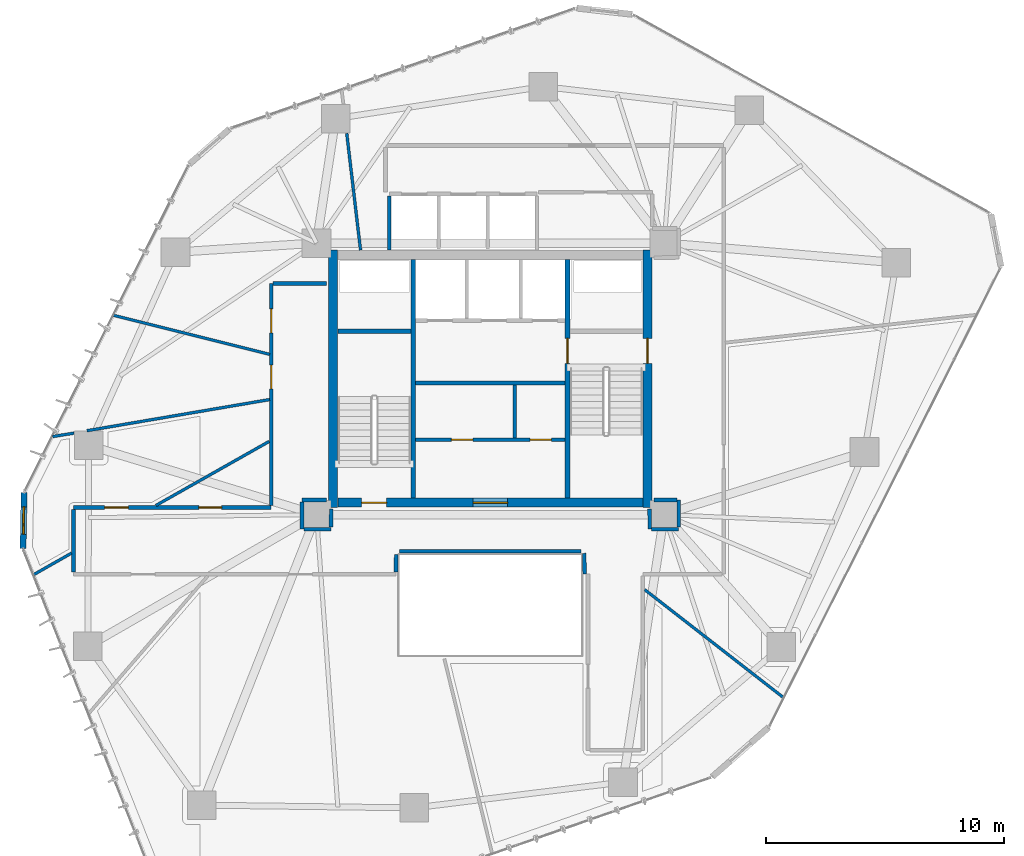
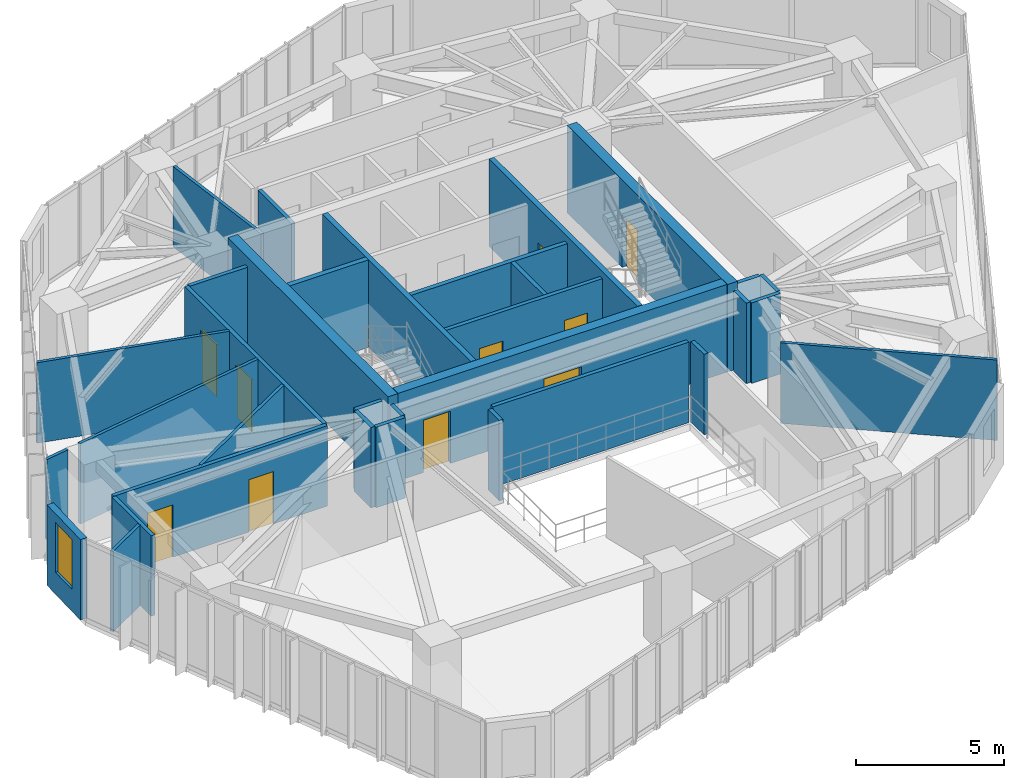
# One storey, part 16 of 21: 33 walls, 10 doors, 1 window, 11 openings.
"""IFC4 building model written with IfcOpenShell, lengths in metres."""

from ifc_helpers import new_model, si_unit, direction, frame, frame_2d, origin, place, context, subcontext, project, spatial, rectangle, extrude, source, transform, mapped, material, layer, layer_set, type_object, type_shapes, element, fill, save


model = new_model("IFC4")

# Units and contexts
model_context = context("Model", 3, precision=1e-05, world=origin(), true_north=direction((0.0, 1.0)))
body_context = subcontext(model_context, "Body", "Model", "MODEL_VIEW")
ifc_project = project(units=[si_unit("LENGTHUNIT", "METRE"), si_unit("AREAUNIT", "SQUARE_METRE"), si_unit("VOLUMEUNIT", "CUBIC_METRE"), si_unit("PLANEANGLEUNIT", "RADIAN"), si_unit("MASSUNIT", "GRAM", prefix="KILO")], contexts=[model_context])

# Site, building, storey
site_placement = place(None, origin())
site = spatial("IfcSite", under=ifc_project, at=site_placement, CompositionType="ELEMENT")
building_placement = place(site_placement, origin())
building = spatial("IfcBuilding", under=site, at=building_placement, Name="Talar Marvaseh", CompositionType="ELEMENT")
storey_placement = place(building_placement, frame((0.0, 0.0, 147.0)))
storey = spatial("IfcBuildingStorey", under=building, at=storey_placement, Name="L38", CompositionType="ELEMENT", Elevation=147.0)

# Wall, opening, window
ifc_material_1 = material(Name="Precast concrete C45/55", Category="concrete")
ifc_layer_1 = layer(ifc_material_1, 0.2548828125)
ifc_layer_set_1 = layer_set([ifc_layer_1], Name="Precast concrete C45/55")
wall_type_1 = type_object("IfcWallType", Name="Chamfered Hexagonal Corner Pier Wall Z2 255", PredefinedType="SOLIDWALL", material=ifc_layer_set_1)
wall_1_placement = place(storey_placement, frame((6.37841796875, 24.080078125, 0.0), z_axis=(0.0, 0.0, 1.0), x_axis=(0.019608163509, 0.99980774148, 0.0)))
wall_1 = element("IfcWall", 1, at=wall_1_placement, inside=storey, type_object=wall_type_1, Name="L38 Chamfered Corner Limestone Pier 2", PredefinedType="SOLIDWALL", context=body_context, shape_type="SweptSolid", body=[
    extrude(rectangle(XDim=2.3408203125, YDim=0.2548828125, at=frame_2d((1.17041015625, 0.0))), origin(), (0.0, 0.0, 1.0), 3.31005859375),
])
opening_1_placement = place(wall_1_placement, frame((0.594970703125, 0.0, 0.89990234375)))
opening_1 = element("IfcOpeningElement", 2, at=opening_1_placement, cuts=wall_1, Name="Opening WN-CHM11", PredefinedType="OPENING", context=body_context, shape_type="SweptSolid", body=[
    extrude(rectangle(XDim=1.14990234375, YDim=2.050048828125, at=frame_2d((0.574951171875, 1.02490234375))), frame((0.0, 0.137451171875, 0.0), z_axis=(0.0, -1.0, 0.0), x_axis=(1.0, 0.0, 0.0)), (0.0, 0.0, 1.0), 0.27490234375),
])
ifc_material_2 = material(Name="Laminated Low-E Solar Glass", Category="glass")
window_type = type_object("IfcWindowType", Name="Zone 2 Chamfered Corner Slot Window 1150x2050", PartitioningType="SINGLE_PANEL", PredefinedType="WINDOW", material=ifc_material_2)
shared_shape_1 = source(origin(), body_context, "Body", "SweptSolid", [
    extrude(rectangle(XDim=1.14990234375, YDim=2.050048828125, at=frame_2d((0.574951171875, 1.02490234375))), frame((0.0, 0.030029296875, 0.0), z_axis=(0.0, -1.0, 0.0), x_axis=(1.0, 0.0, 0.0)), (0.0, 0.0, 1.0), 0.06005859375),
])
type_shapes(window_type, [shared_shape_1])
window_placement = place(opening_1_placement, origin())
window = element("IfcWindow", 3, at=window_placement, inside=storey, type_object=window_type, Name="L38 Chamfered Corner Slot Window", OverallHeight=2.050048828125, OverallWidth=1.14990234375, PartitioningType="SINGLE_PANEL", PredefinedType="WINDOW", context=body_context, shape_type="MappedRepresentation", body=[
    mapped(shared_shape_1, transform((0.0, 0.0, 0.0), x_axis=(1.0, 0.0, 0.0), y_axis=(0.0, 1.0, 0.0), z_axis=(0.0, 0.0, 1.0), scale=1.0)),
])
fill(opening_1, window)

# Wall, openings, doors
ifc_material_3 = material(Name="Gypsum Board Partition Assembly")
ifc_layer_2 = layer(ifc_material_3, 0.155029296875)
ifc_layer_set_2 = layer_set([ifc_layer_2], Name="Gypsum Board Partition Assembly")
wall_type_2 = type_object("IfcWallType", Name="Corridor Fire-Rated Acoustic Partition 155", PredefinedType="PARTITIONING", material=ifc_layer_set_2)
wall_2_placement = place(storey_placement, frame((22.865966796875, 28.639892578125, 0.0), z_axis=(0.0, 0.0, 1.0), x_axis=(1.0, 0.0, 0.0)))
wall_2 = element("IfcWall", 4, at=wall_2_placement, inside=storey, type_object=wall_type_2, Name="L38 Core BOH Partition", PredefinedType="PARTITIONING", context=body_context, shape_type="SweptSolid", body=[
    extrude(rectangle(XDim=6.26806640625, YDim=0.155029296875, at=frame_2d((3.134033203125, 0.0))), origin(), (0.0, 0.0, 1.0), 3.31005859375),
])
opening_2_placement = place(wall_2_placement, frame((1.5, 0.0, 0.0)))
opening_2 = element("IfcOpeningElement", 5, at=opening_2_placement, cuts=wall_2, Name="Opening DR-BOH090", PredefinedType="OPENING", context=body_context, shape_type="SweptSolid", body=[
    extrude(rectangle(XDim=0.89990234375, YDim=2.10009765625, at=frame_2d((0.449951171875, 1.050048828125))), frame((0.0, 0.08740234375, 0.0), z_axis=(0.0, -1.0, 0.0), x_axis=(1.0, 0.0, 0.0)), (0.0, 0.0, 1.0), 0.175048828125),
])
opening_3_placement = place(wall_2_placement, frame((4.800048828125, 0.0, 0.0)))
opening_3 = element("IfcOpeningElement", 6, at=opening_3_placement, cuts=wall_2, Name="Opening DR-BOH090", PredefinedType="OPENING", context=body_context, shape_type="SweptSolid", body=[
    extrude(rectangle(XDim=0.89990234375, YDim=2.10009765625, at=frame_2d((0.449951171875, 1.050048828125))), frame((0.0, 0.08740234375, 0.0), z_axis=(0.0, -1.0, 0.0), x_axis=(1.0, 0.0, 0.0)), (0.0, 0.0, 1.0), 0.175048828125),
])
ifc_material_4 = material(Name="Fire-Rated Steel Door Leaf", Category="steel")
door_type_1 = type_object("IfcDoorType", Name="Core Back-of-House Service Door 900x2100", OperationType="NOTDEFINED", PredefinedType="DOOR", material=ifc_material_4)
shared_shape_2 = source(origin(), body_context, "Body", "SweptSolid", [
    extrude(rectangle(XDim=0.89990234375, YDim=2.10009765625, at=frame_2d((0.449951171875, 1.050048828125))), frame((0.0, 0.02490234375, 0.0), z_axis=(0.0, -1.0, 0.0), x_axis=(1.0, 0.0, 0.0)), (0.0, 0.0, 1.0), 0.050048828125),
])
type_shapes(door_type_1, [shared_shape_2])
door_1_placement = place(opening_2_placement, origin())
door_1 = element("IfcDoor", 7, at=door_1_placement, inside=storey, type_object=door_type_1, Name="L38 Plant Core Comms Switch Room Door", OperationType="SINGLE_SWING_LEFT", OverallHeight=2.10009765625, OverallWidth=0.89990234375, PredefinedType="DOOR", context=body_context, shape_type="MappedRepresentation", body=[
    mapped(shared_shape_2, transform((0.0, 0.0, 0.0), x_axis=(1.0, 0.0, 0.0), y_axis=(0.0, 1.0, 0.0), z_axis=(0.0, 0.0, 1.0), scale=1.0)),
])
fill(opening_2, door_1)
door_2_placement = place(opening_3_placement, origin())
door_2 = element("IfcDoor", 8, at=door_2_placement, inside=storey, type_object=door_type_1, Name="L38 Cleaner Cupboard Door", OperationType="SINGLE_SWING_RIGHT", OverallHeight=2.10009765625, OverallWidth=0.89990234375, PredefinedType="DOOR", context=body_context, shape_type="MappedRepresentation", body=[
    mapped(shared_shape_2, transform((0.0, 0.0, 0.0), x_axis=(1.0, 0.0, 0.0), y_axis=(0.0, 1.0, 0.0), z_axis=(0.0, 0.0, 1.0), scale=1.0)),
])
fill(opening_3, door_2)

# Wall
wall_3_placement = place(storey_placement, frame((27.02001953125, 28.719970703125, 0.0), z_axis=(0.0, 0.0, 1.0), x_axis=(0.0, 1.0, 0.0)))
element("IfcWall", 9, at=wall_3_placement, inside=storey, type_object=wall_type_2, Name="L38 Core BOH Partition", PredefinedType="PARTITIONING", context=body_context, shape_type="SweptSolid", body=[
    extrude(rectangle(XDim=2.219970703125, YDim=0.155029296875, at=frame_2d((1.10986328125, 0.0))), origin(), (0.0, 0.0, 1.0), 3.31005859375),
])

# Wall, openings, doors
wall_4_placement = place(storey_placement, frame((8.5, 25.800048828125, 0.0), z_axis=(0.0, 0.0, 1.0), x_axis=(1.0, 0.0, 0.0)))
wall_4 = element("IfcWall", 10, at=wall_4_placement, inside=storey, type_object=wall_type_2, Name="L38 Interior Partition Wall", PredefinedType="PARTITIONING", context=body_context, shape_type="SweptSolid", body=[
    extrude(rectangle(XDim=8.300048828125, YDim=0.155029296875, at=frame_2d((4.14990234375, 0.0))), origin(), (0.0, 0.0, 1.0), 3.31005859375),
])
opening_4_placement = place(wall_4_placement, frame((1.2998046875, 0.0, 0.0)))
opening_4 = element("IfcOpeningElement", 11, at=opening_4_placement, cuts=wall_4, Name="Opening DR-RM100", PredefinedType="OPENING", context=body_context, shape_type="SweptSolid", body=[
    extrude(rectangle(XDim=1.0, YDim=2.14990234375, at=frame_2d((0.5, 1.074951171875))), frame((0.0, 0.08740234375, 0.0), z_axis=(0.0, -1.0, 0.0), x_axis=(1.0, 0.0, 0.0)), (0.0, 0.0, 1.0), 0.175048828125),
])
opening_5_placement = place(wall_4_placement, frame((5.262451171875, 0.0, 0.0)))
opening_5 = element("IfcOpeningElement", 12, at=opening_5_placement, cuts=wall_4, Name="Opening DR-WC095", PredefinedType="OPENING", context=body_context, shape_type="SweptSolid", body=[
    extrude(rectangle(XDim=0.949951171875, YDim=2.14990234375, at=frame_2d((0.47509765625, 1.074951171875))), frame((0.0, 0.08740234375, 0.0), z_axis=(0.0, -1.0, 0.0), x_axis=(1.0, 0.0, 0.0)), (0.0, 0.0, 1.0), 0.175048828125),
])
ifc_material_5 = material(Name="Acoustic Engineered Oak Timber", Category="wood")
door_type_2 = type_object("IfcDoorType", Name="Washroom and Service Room Door 950x2150", OperationType="NOTDEFINED", PredefinedType="DOOR", material=ifc_material_5)
shared_shape_3 = source(origin(), body_context, "Body", "SweptSolid", [
    extrude(rectangle(XDim=0.949951171875, YDim=2.14990234375, at=frame_2d((0.47509765625, 1.074951171875))), frame((0.0, 0.02490234375, 0.0), z_axis=(0.0, -1.0, 0.0), x_axis=(1.0, 0.0, 0.0)), (0.0, 0.0, 1.0), 0.050048828125),
])
type_shapes(door_type_2, [shared_shape_3])
door_3_placement = place(opening_5_placement, origin())
door_3 = element("IfcDoor", 13, at=door_3_placement, inside=storey, type_object=door_type_2, Name="L38 WC Public Washrooms Door", OperationType="SINGLE_SWING_RIGHT", OverallHeight=2.14990234375, OverallWidth=0.949951171875, PredefinedType="DOOR", context=body_context, shape_type="MappedRepresentation", body=[
    mapped(shared_shape_3, transform((0.0, 0.0, 0.0), x_axis=(1.0, 0.0, 0.0), y_axis=(0.0, 1.0, 0.0), z_axis=(0.0, 0.0, 1.0), scale=1.0)),
])
fill(opening_5, door_3)
door_type_3 = type_object("IfcDoorType", Name="Corridor Fire-Rated Gallery Door 1000x2150", OperationType="NOTDEFINED", PredefinedType="DOOR", material=ifc_material_5)
shared_shape_4 = source(origin(), body_context, "Body", "SweptSolid", [
    extrude(rectangle(XDim=1.0, YDim=2.14990234375, at=frame_2d((0.5, 1.074951171875))), frame((0.0, 0.02490234375, 0.0), z_axis=(0.0, -1.0, 0.0), x_axis=(1.0, 0.0, 0.0)), (0.0, 0.0, 1.0), 0.050048828125),
])
type_shapes(door_type_3, [shared_shape_4])
door_4_placement = place(opening_4_placement, origin())
door_4 = element("IfcDoor", 14, at=door_4_placement, inside=storey, type_object=door_type_3, Name="L38 Curatorial Office Door", OperationType="SINGLE_SWING_LEFT", OverallHeight=2.14990234375, OverallWidth=1.0, PredefinedType="DOOR", context=body_context, shape_type="MappedRepresentation", body=[
    mapped(shared_shape_4, transform((0.0, 0.0, 0.0), x_axis=(1.0, 0.0, 0.0), y_axis=(0.0, 1.0, 0.0), z_axis=(0.0, 0.0, 1.0), scale=1.0)),
])
fill(opening_4, door_4)

wall_5_placement = place(storey_placement, frame((16.800048828125, 25.883544921875, 0.0), z_axis=(0.0, 0.0, 1.0), x_axis=(0.0, 1.0, 0.0)))
wall_5 = element("IfcWall", 15, at=wall_5_placement, inside=storey, type_object=wall_type_2, Name="L38 Interior Partition Wall", PredefinedType="PARTITIONING", context=body_context, shape_type="SweptSolid", body=[
    extrude(rectangle(XDim=9.31640625, YDim=0.155029296875, at=frame_2d((4.658203125, 0.0))), origin(), (0.0, 0.0, 1.0), 3.31005859375),
])
opening_6_placement = place(wall_5_placement, frame((7.24951171875, 0.0, 0.0)))
opening_6 = element("IfcOpeningElement", 16, at=opening_6_placement, cuts=wall_5, Name="Opening DR-RM100", PredefinedType="OPENING", context=body_context, shape_type="SweptSolid", body=[
    extrude(rectangle(XDim=1.0, YDim=2.14990234375, at=frame_2d((0.5, 1.074951171875))), frame((0.0, 0.08740234375, 0.0), z_axis=(0.0, -1.0, 0.0), x_axis=(1.0, 0.0, 0.0)), (0.0, 0.0, 1.0), 0.175048828125),
])
opening_7_placement = place(wall_5_placement, frame((4.893310546875, 0.0, 0.0)))
opening_7 = element("IfcOpeningElement", 17, at=opening_7_placement, cuts=wall_5, Name="Opening DR-RM100", PredefinedType="OPENING", context=body_context, shape_type="SweptSolid", body=[
    extrude(rectangle(XDim=1.0, YDim=2.14990234375, at=frame_2d((0.5, 1.074951171875))), frame((0.0, 0.08740234375, 0.0), z_axis=(0.0, -1.0, 0.0), x_axis=(1.0, 0.0, 0.0)), (0.0, 0.0, 1.0), 0.175048828125),
])
door_5_placement = place(opening_6_placement, origin())
door_5 = element("IfcDoor", 18, at=door_5_placement, inside=storey, type_object=door_type_3, Name="L38 Digital Paleography Studio Door", OperationType="SINGLE_SWING_LEFT", OverallHeight=2.14990234375, OverallWidth=1.0, PredefinedType="DOOR", context=body_context, shape_type="MappedRepresentation", body=[
    mapped(shared_shape_4, transform((0.0, 0.0, 0.0), x_axis=(1.0, 0.0, 0.0), y_axis=(0.0, 1.0, 0.0), z_axis=(0.0, 0.0, 1.0), scale=1.0)),
])
fill(opening_6, door_5)
door_6_placement = place(opening_7_placement, origin())
door_6 = element("IfcDoor", 19, at=door_6_placement, inside=storey, type_object=door_type_3, Name="L38 Quiet Research Study Door", OperationType="SINGLE_SWING_RIGHT", OverallHeight=2.14990234375, OverallWidth=1.0, PredefinedType="DOOR", context=body_context, shape_type="MappedRepresentation", body=[
    mapped(shared_shape_4, transform((0.0, 0.0, 0.0), x_axis=(1.0, 0.0, 0.0), y_axis=(0.0, 1.0, 0.0), z_axis=(0.0, 0.0, 1.0), scale=1.0)),
])
fill(opening_7, door_6)

# Walls
wall_6_placement = place(storey_placement, frame((29.800048828125, 23.9599609375, 0.0), z_axis=(0.0, 0.0, 1.0), x_axis=(-0.999999995375, -9.617234e-05, 0.0)))
element("IfcWall", 20, at=wall_6_placement, inside=storey, type_object=wall_type_2, Name="L38 Interior Partition Wall", PredefinedType="PARTITIONING", context=body_context, shape_type="SweptSolid", body=[
    extrude(rectangle(XDim=7.61572265625, YDim=0.155029296875, at=frame_2d((3.807861328125, 0.0))), origin(), (0.0, 0.0, 1.0), 3.31005859375),
])
wall_7_placement = place(storey_placement, frame((22.043212890625, 23.831298828125, 0.0), z_axis=(0.0, 0.0, 1.0), x_axis=(-0.003917697652, -0.999992325793, 0.0)))
element("IfcWall", 21, at=wall_7_placement, inside=storey, type_object=wall_type_2, Name="L38 Interior Partition Wall", PredefinedType="PARTITIONING", context=body_context, shape_type="SweptSolid", body=[
    extrude(rectangle(XDim=0.747802734375, YDim=0.155029296875, at=frame_2d((0.3740234375, 0.0))), origin(), (0.0, 0.0, 1.0), 3.31005859375),
])
wall_8_placement = place(storey_placement, frame((8.5, 23.08349609375, 0.0), z_axis=(0.0, 0.0, 1.0), x_axis=(0.0, 1.0, 0.0)))
element("IfcWall", 22, at=wall_8_placement, inside=storey, type_object=wall_type_2, Name="L38 Interior Partition Wall", PredefinedType="PARTITIONING", context=body_context, shape_type="SweptSolid", body=[
    extrude(rectangle(XDim=2.633056640625, YDim=0.155029296875, at=frame_2d((1.31640625, 0.0))), origin(), (0.0, 0.0, 1.0), 3.31005859375),
])
wall_9_placement = place(storey_placement, frame((16.883544921875, 35.199951171875, 0.0), z_axis=(0.0, 0.0, 1.0), x_axis=(1.0, 0.0, 0.0)))
element("IfcWall", 23, at=wall_9_placement, inside=storey, type_object=wall_type_2, Name="L38 Interior Partition Wall", PredefinedType="PARTITIONING", context=body_context, shape_type="SweptSolid", body=[
    extrude(rectangle(XDim=2.246337890625, YDim=0.155029296875, at=frame_2d((1.123046875, 0.0))), origin(), (0.0, 0.0, 1.0), 3.31005859375),
])
wall_10_placement = place(storey_placement, frame((19.1298828125, 26.114990234375, 0.0), z_axis=(0.0, 0.0, 1.0), x_axis=(-0.999986702653, -0.005156987215, 0.0)))
element("IfcWall", 24, at=wall_10_placement, inside=storey, type_object=wall_type_2, Name="L38 Interior Partition Wall", PredefinedType="PARTITIONING", context=body_context, shape_type="SweptSolid", body=[
    extrude(rectangle(XDim=1.04150390625, YDim=0.155029296875, at=frame_2d((0.520751953125, 0.0))), origin(), (0.0, 0.0, 1.0), 3.31005859375),
])
wall_11_placement = place(storey_placement, frame((18.088623046875, 26.02587890625, 0.0), z_axis=(0.0, 0.0, 1.0), x_axis=(0.002787893948, -0.999996113816, 0.0)))
element("IfcWall", 25, at=wall_11_placement, inside=storey, type_object=wall_type_2, Name="L38 Interior Partition Wall", PredefinedType="PARTITIONING", context=body_context, shape_type="SweptSolid", body=[
    extrude(rectangle(XDim=1.138427734375, YDim=0.155029296875, at=frame_2d((0.5693359375, 0.0))), origin(), (0.0, 0.0, 1.0), 3.31005859375),
])
wall_12_placement = place(storey_placement, frame((18.17529296875, 24.8876953125, 0.0), z_axis=(0.0, 0.0, 1.0), x_axis=(0.999999791525, 0.000645716611, 0.0)))
element("IfcWall", 26, at=wall_12_placement, inside=storey, type_object=wall_type_2, Name="L38 Interior Partition Wall", PredefinedType="PARTITIONING", context=body_context, shape_type="SweptSolid", body=[
    extrude(rectangle(XDim=1.13427734375, YDim=0.155029296875, at=frame_2d((0.567138671875, 0.0))), origin(), (0.0, 0.0, 1.0), 3.31005859375),
])
wall_13_placement = place(storey_placement, frame((19.31005859375, 24.971923828125, 0.0), z_axis=(0.0, 0.0, 1.0), x_axis=(0.006441090216, 0.999979255963, 0.0)))
element("IfcWall", 27, at=wall_13_placement, inside=storey, type_object=wall_type_2, Name="L38 Interior Partition Wall", PredefinedType="PARTITIONING", context=body_context, shape_type="SweptSolid", body=[
    extrude(rectangle(XDim=0.758056640625, YDim=0.155029296875, at=frame_2d((0.37890625, 0.0))), origin(), (0.0, 0.0, 1.0), 3.31005859375),
])
wall_14_placement = place(storey_placement, frame((32.68505859375, 25.72998046875, 0.0), z_axis=(0.0, 0.0, 1.0), x_axis=(0.006382231486, -0.999979633353, 0.0)))
element("IfcWall", 28, at=wall_14_placement, inside=storey, type_object=wall_type_2, Name="L38 Interior Partition Wall", PredefinedType="PARTITIONING", context=body_context, shape_type="SweptSolid", body=[
    extrude(rectangle(XDim=0.841552734375, YDim=0.155029296875, at=frame_2d((0.4208984375, 0.0))), origin(), (0.0, 0.0, 1.0), 3.31005859375),
])
wall_15_placement = place(storey_placement, frame((32.77392578125, 24.88818359375, 0.0), z_axis=(0.0, 0.0, 1.0), x_axis=(0.999999164303, -0.001292823742, 0.0)))
element("IfcWall", 29, at=wall_15_placement, inside=storey, type_object=wall_type_2, Name="L38 Interior Partition Wall", PredefinedType="PARTITIONING", context=body_context, shape_type="SweptSolid", body=[
    extrude(rectangle(XDim=1.133056640625, YDim=0.155029296875, at=frame_2d((0.56640625, 0.0))), origin(), (0.0, 0.0, 1.0), 3.31005859375),
])
wall_16_placement = place(storey_placement, frame((33.907470703125, 24.97021484375, 0.0), z_axis=(0.0, 0.0, 1.0), x_axis=(0.003642572792, 0.99999336581, 0.0)))
element("IfcWall", 30, at=wall_16_placement, inside=storey, type_object=wall_type_2, Name="L38 Interior Partition Wall", PredefinedType="PARTITIONING", context=body_context, shape_type="SweptSolid", body=[
    extrude(rectangle(XDim=1.139404296875, YDim=0.155029296875, at=frame_2d((0.56982421875, 0.0))), origin(), (0.0, 0.0, 1.0), 3.31005859375),
])
wall_17_placement = place(storey_placement, frame((33.828125, 26.110107421875, 0.0), z_axis=(0.0, 0.0, 1.0), x_axis=(-0.999987011364, 0.005096773758, 0.0)))
element("IfcWall", 31, at=wall_17_placement, inside=storey, type_object=wall_type_2, Name="L38 Interior Partition Wall", PredefinedType="PARTITIONING", context=body_context, shape_type="SweptSolid", body=[
    extrude(rectangle(XDim=0.9580078125, YDim=0.155029296875, at=frame_2d((0.47900390625, 0.0))), origin(), (0.0, 0.0, 1.0), 3.31005859375),
])
wall_18_placement = place(storey_placement, frame((29.9599609375, 23.0, 0.0), z_axis=(0.0, 0.0, 1.0), x_axis=(-0.021467444279, 0.999769547864, 0.0)))
element("IfcWall", 32, at=wall_18_placement, inside=storey, type_object=wall_type_2, Name="L38 Interior Partition Wall", PredefinedType="PARTITIONING", context=body_context, shape_type="SweptSolid", body=[
    extrude(rectangle(XDim=0.875732421875, YDim=0.155029296875, at=frame_2d((0.43798828125, 0.0))), origin(), (0.0, 0.0, 1.0), 3.31005859375),
])
ifc_layer_3 = layer(ifc_material_3, 0.1201171875)
ifc_layer_set_3 = layer_set([ifc_layer_3], Name="Gypsum Board Partition Assembly")
wall_type_3 = type_object("IfcWallType", Name="Demountable Studio Room Partition 120", PredefinedType="PARTITIONING", material=ifc_layer_set_3)
wall_19_placement = place(storey_placement, frame((16.716552734375, 28.57275390625, 0.0), z_axis=(0.0, 0.0, 1.0), x_axis=(-0.870605260596, -0.491982195027, 0.0)))
element("IfcWall", 33, at=wall_19_placement, inside=storey, type_object=wall_type_3, Name="L38 Interior Partition Wall", PredefinedType="PARTITIONING", context=body_context, shape_type="SweptSolid", body=[
    extrude(rectangle(XDim=5.466064453125, YDim=0.1201171875, at=frame_2d((2.73291015625, 0.0))), origin(), (0.0, 0.0, 1.0), 3.31005859375),
])
wall_20_placement = place(storey_placement, frame((8.41650390625, 23.88232421875, 0.0), z_axis=(0.0, 0.0, 1.0), x_axis=(-0.868976879823, -0.494852687507, 0.0)))
element("IfcWall", 34, at=wall_20_placement, inside=storey, type_object=wall_type_3, Name="L38 Interior Partition Wall", PredefinedType="PARTITIONING", context=body_context, shape_type="SweptSolid", body=[
    extrude(rectangle(XDim=1.820068359375, YDim=0.1201171875, at=frame_2d((0.91015625, 0.0))), origin(), (0.0, 0.0, 1.0), 3.31005859375),
])
wall_21_placement = place(storey_placement, frame((7.623779296875, 28.77490234375, 0.0), z_axis=(0.0, 0.0, 1.0), x_axis=(0.987160540536, 0.15973123429, 0.0)))
element("IfcWall", 35, at=wall_21_placement, inside=storey, type_object=wall_type_3, Name="L38 Interior Partition Wall", PredefinedType="PARTITIONING", context=body_context, shape_type="SweptSolid", body=[
    extrude(rectangle(XDim=0.907958984375, YDim=0.1201171875, at=frame_2d((0.4541015625, 0.0))), origin(), (0.0, 0.0, 1.0), 3.31005859375),
])
wall_22_placement = place(storey_placement, frame((9.06005859375, 29.02001953125, 0.0), z_axis=(0.0, 0.0, 1.0), x_axis=(0.985766603633, 0.168119609691, 0.0)))
element("IfcWall", 36, at=wall_22_placement, inside=storey, type_object=wall_type_3, Name="L38 Interior Partition Wall", PredefinedType="PARTITIONING", context=body_context, shape_type="SweptSolid", body=[
    extrude(rectangle(XDim=7.78662109375, YDim=0.1201171875, at=frame_2d((3.893310546875, 0.0))), origin(), (0.0, 0.0, 1.0), 3.31005859375),
])
wall_23_placement = place(storey_placement, frame((32.4833984375, 22.34521484375, 0.0), z_axis=(0.0, 0.0, 1.0), x_axis=(0.789343299311, -0.613952079427, 0.0)))
element("IfcWall", 37, at=wall_23_placement, inside=storey, type_object=wall_type_3, Name="L38 Interior Partition Wall", PredefinedType="PARTITIONING", context=body_context, shape_type="SweptSolid", body=[
    extrude(rectangle(XDim=7.37060546875, YDim=0.1201171875, at=frame_2d((3.685302734375, 0.0))), origin(), (0.0, 0.0, 1.0), 3.31005859375),
])
wall_24_placement = place(storey_placement, frame((20.550048828125, 36.60009765625, 0.0), z_axis=(0.0, 0.0, 1.0), x_axis=(-0.117328298106, 0.993093183172, 0.0)))
element("IfcWall", 38, at=wall_24_placement, inside=storey, type_object=wall_type_3, Name="L38 Interior Partition Wall", PredefinedType="PARTITIONING", context=body_context, shape_type="SweptSolid", body=[
    extrude(rectangle(XDim=4.944091796875, YDim=0.1201171875, at=frame_2d((2.47216796875, 0.0))), origin(), (0.0, 0.0, 1.0), 3.31005859375),
])
wall_25_placement = place(storey_placement, frame((16.73681640625, 32.225830078125, 0.0), z_axis=(0.0, 0.0, 1.0), x_axis=(-0.970144626867, 0.24252711799, 0.0)))
element("IfcWall", 39, at=wall_25_placement, inside=storey, type_object=wall_type_3, Name="L38 Interior Partition Wall", PredefinedType="PARTITIONING", context=body_context, shape_type="SweptSolid", body=[
    extrude(rectangle(XDim=6.752685546875, YDim=0.1201171875, at=frame_2d((3.37646484375, 0.0))), origin(), (0.0, 0.0, 1.0), 3.31005859375),
])
ifc_layer_4 = layer(ifc_material_1, 0.14501953125)
ifc_layer_set_4 = layer_set([ifc_layer_4], Name="Precast concrete C45/55")
wall_type_4 = type_object("IfcWallType", Name="Fire-Rated Lift Divider Wall 145", PredefinedType="SOLIDWALL", material=ifc_layer_set_4)
wall_26_placement = place(storey_placement, frame((21.760009765625, 36.60009765625, 0.0), z_axis=(0.0, 0.0, 1.0), x_axis=(0.0, 1.0, 0.0)))
element("IfcWall", 40, at=wall_26_placement, inside=storey, type_object=wall_type_4, Name="L38 Low-Rise Bank West Wall", PredefinedType="SOLIDWALL", context=body_context, shape_type="SweptSolid", body=[
    extrude(rectangle(XDim=2.266357421875, YDim=0.14501953125, at=frame_2d((1.13330078125, 0.0))), origin(), (0.0, 0.0, 1.0), 3.31005859375),
])
ifc_layer_5 = layer(ifc_material_1, 0.175048828125)
ifc_layer_set_5 = layer_set([ifc_layer_5], Name="Precast concrete C45/55")
wall_type_5 = type_object("IfcWallType", Name="Fire-Rated Lift Hoistway Enclosure Wall 175", PredefinedType="SOLIDWALL", material=ifc_layer_set_5)
wall_27_placement = place(storey_placement, frame((22.860107421875, 31.02001953125, 0.0), z_axis=(0.0, 0.0, 1.0), x_axis=(1.0, 0.0, 0.0)))
element("IfcWall", 41, at=wall_27_placement, inside=storey, type_object=wall_type_5, Name="L38 Firefighting Lobby South Smoke Wall", PredefinedType="SOLIDWALL", context=body_context, shape_type="SweptSolid", body=[
    extrude(rectangle(XDim=6.27978515625, YDim=0.175048828125, at=frame_2d((3.139892578125, 0.0))), origin(), (0.0, 0.0, 1.0), 3.31005859375),
])
ifc_material_6 = material(Name="Concrete C60/75", Category="concrete")
ifc_layer_6 = layer(ifc_material_6, 0.3798828125)
ifc_layer_set_6 = layer_set([ifc_layer_6], Name="Concrete C60/75")
wall_type_6 = type_object("IfcWallType", Name="Mid Core Reinforced Concrete Shear Wall 380", PredefinedType="SHEAR", material=ifc_layer_set_6)
wall_28_placement = place(storey_placement, frame((19.39990234375, 25.800048828125, 0.0), z_axis=(0.0, 0.0, 1.0), x_axis=(0.0, 1.0, 0.0)))
element("IfcWall", 42, at=wall_28_placement, inside=storey, type_object=wall_type_6, Name="L38 West Core Shear Wall", PredefinedType="SHEAR", context=body_context, shape_type="SweptSolid", body=[
    extrude(rectangle(XDim=10.800048828125, YDim=0.3798828125, at=frame_2d((5.39990234375, 0.0))), origin(), (0.0, 0.0, 1.0), 3.60009765625),
])

# Wall, opening, door
wall_29_placement = place(storey_placement, frame((32.60009765625, 36.60009765625, 0.0), z_axis=(0.0, 0.0, 1.0), x_axis=(0.0, -1.0, 0.0)))
wall_29 = element("IfcWall", 43, at=wall_29_placement, inside=storey, type_object=wall_type_6, Name="L38 East Core Shear Wall", PredefinedType="SHEAR", context=body_context, shape_type="SweptSolid", body=[
    extrude(rectangle(XDim=10.800048828125, YDim=0.3798828125, at=frame_2d((5.39990234375, 0.0))), origin(), (0.0, 0.0, 1.0), 3.60009765625),
])
opening_8_placement = place(wall_29_placement, frame((3.699951171875, 0.0, 0.0)))
opening_8 = element("IfcOpeningElement", 44, at=opening_8_placement, cuts=wall_29, Name="Opening DR-ST105", PredefinedType="OPENING", context=body_context, shape_type="SweptSolid", body=[
    extrude(rectangle(XDim=1.050048828125, YDim=2.14990234375, at=frame_2d((0.52490234375, 1.074951171875))), frame((0.0, 0.199951171875, 0.0), z_axis=(0.0, -1.0, 0.0), x_axis=(1.0, 0.0, 0.0)), (0.0, 0.0, 1.0), 0.39990234375),
])
door_type_4 = type_object("IfcDoorType", Name="Protected Exit Stair Fire Door 1050x2150", OperationType="NOTDEFINED", PredefinedType="DOOR", material=ifc_material_4)
shared_shape_5 = source(origin(), body_context, "Body", "SweptSolid", [
    extrude(rectangle(XDim=1.050048828125, YDim=2.14990234375, at=frame_2d((0.52490234375, 1.074951171875))), frame((0.0, 0.02490234375, 0.0), z_axis=(0.0, -1.0, 0.0), x_axis=(1.0, 0.0, 0.0)), (0.0, 0.0, 1.0), 0.050048828125),
])
type_shapes(door_type_4, [shared_shape_5])
door_7_placement = place(opening_8_placement, origin())
door_7 = element("IfcDoor", 45, at=door_7_placement, inside=storey, type_object=door_type_4, Name="L38 Stair ST-2 Corridor Exit Door", OperationType="SINGLE_SWING_LEFT", OverallHeight=2.14990234375, OverallWidth=1.050048828125, PredefinedType="DOOR", context=body_context, shape_type="MappedRepresentation", body=[
    mapped(shared_shape_5, transform((0.0, 0.0, 0.0), x_axis=(1.0, 0.0, 0.0), y_axis=(0.0, 1.0, 0.0), z_axis=(0.0, 0.0, 1.0), scale=1.0)),
])
fill(opening_8, door_7)

# Wall, openings, doors
wall_30_placement = place(storey_placement, frame((32.39990234375, 26.0, 0.0), z_axis=(0.0, 0.0, 1.0), x_axis=(-1.0, 0.0, 0.0)))
wall_30 = element("IfcWall", 46, at=wall_30_placement, inside=storey, type_object=wall_type_6, Name="L38 South Core Shear Wall", PredefinedType="SHEAR", context=body_context, shape_type="SweptSolid", body=[
    extrude(rectangle(XDim=12.7998046875, YDim=0.3798828125, at=frame_2d((6.39990234375, 0.0))), origin(), (0.0, 0.0, 1.0), 3.60009765625),
])
opening_9_placement = place(wall_30_placement, frame((10.75, 0.0, 0.0)))
opening_9 = element("IfcOpeningElement", 47, at=opening_9_placement, cuts=wall_30, Name="Opening DR-ST105", PredefinedType="OPENING", context=body_context, shape_type="SweptSolid", body=[
    extrude(rectangle(XDim=1.050048828125, YDim=2.14990234375, at=frame_2d((0.52490234375, 1.074951171875))), frame((0.0, 0.199951171875, 0.0), z_axis=(0.0, -1.0, 0.0), x_axis=(1.0, 0.0, 0.0)), (0.0, 0.0, 1.0), 0.39990234375),
])
opening_10_placement = place(wall_30_placement, frame((5.669921875, 0.0, 0.0)))
opening_10 = element("IfcOpeningElement", 48, at=opening_10_placement, cuts=wall_30, Name="Opening DR-LBY145", PredefinedType="OPENING", context=body_context, shape_type="SweptSolid", body=[
    extrude(rectangle(XDim=1.449951171875, YDim=2.199951171875, at=frame_2d((0.72509765625, 1.10009765625))), frame((0.0, 0.199951171875, 0.0), z_axis=(0.0, -1.0, 0.0), x_axis=(1.0, 0.0, 0.0)), (0.0, 0.0, 1.0), 0.39990234375),
])
door_8_placement = place(opening_9_placement, origin())
door_8 = element("IfcDoor", 49, at=door_8_placement, inside=storey, type_object=door_type_4, Name="L38 Stair ST-1 Exit Door", OperationType="SINGLE_SWING_RIGHT", OverallHeight=2.14990234375, OverallWidth=1.050048828125, PredefinedType="DOOR", context=body_context, shape_type="MappedRepresentation", body=[
    mapped(shared_shape_5, transform((0.0, 0.0, 0.0), x_axis=(1.0, 0.0, 0.0), y_axis=(0.0, 1.0, 0.0), z_axis=(0.0, 0.0, 1.0), scale=1.0)),
])
fill(opening_9, door_8)
door_type_5 = type_object("IfcDoorType", Name="Core Lift Lobby Double Smoke Door 1450x2200", OperationType="NOTDEFINED", PredefinedType="DOOR", material=ifc_material_4)
shared_shape_6 = source(origin(), body_context, "Body", "SweptSolid", [
    extrude(rectangle(XDim=1.449951171875, YDim=2.199951171875, at=frame_2d((0.72509765625, 1.10009765625))), frame((0.0, 0.02490234375, 0.0), z_axis=(0.0, -1.0, 0.0), x_axis=(1.0, 0.0, 0.0)), (0.0, 0.0, 1.0), 0.050048828125),
])
type_shapes(door_type_5, [shared_shape_6])
door_9_placement = place(opening_10_placement, origin())
door_9 = element("IfcDoor", 50, at=door_9_placement, inside=storey, type_object=door_type_5, Name="L38 Passenger Lift Lobby Entrance Door", OperationType="DOUBLE_DOOR_SINGLE_SWING", OverallHeight=2.199951171875, OverallWidth=1.449951171875, PredefinedType="DOOR", context=body_context, shape_type="MappedRepresentation", body=[
    mapped(shared_shape_6, transform((0.0, 0.0, 0.0), x_axis=(1.0, 0.0, 0.0), y_axis=(0.0, 1.0, 0.0), z_axis=(0.0, 0.0, 1.0), scale=1.0)),
])
fill(opening_10, door_9)

# Wall
ifc_material_7 = material(Name="Concrete C50/60", Category="concrete")
ifc_layer_7 = layer(ifc_material_7, 0.199951171875)
ifc_layer_set_7 = layer_set([ifc_layer_7], Name="Concrete C50/60")
wall_type_7 = type_object("IfcWallType", Name="Stair Shaft Structural Concrete Shear Wall 200", PredefinedType="SHEAR", material=ifc_layer_set_7)
wall_31_placement = place(storey_placement, frame((22.760009765625, 26.199951171875, 0.0), z_axis=(0.0, 0.0, 1.0), x_axis=(0.0, 1.0, 0.0)))
element("IfcWall", 51, at=wall_31_placement, inside=storey, type_object=wall_type_7, Name="L38 Core West Stair Shear Wall", PredefinedType="SHEAR", context=body_context, shape_type="SweptSolid", body=[
    extrude(rectangle(XDim=10.0, YDim=0.199951171875, at=frame_2d((5.0, 0.0))), origin(), (0.0, 0.0, 1.0), 3.60009765625),
])

# Wall, opening, door
wall_32_placement = place(storey_placement, frame((29.239990234375, 26.199951171875, 0.0), z_axis=(0.0, 0.0, 1.0), x_axis=(0.0, 1.0, 0.0)))
wall_32 = element("IfcWall", 52, at=wall_32_placement, inside=storey, type_object=wall_type_7, Name="L38 Core East Stair Shear Wall", PredefinedType="SHEAR", context=body_context, shape_type="SweptSolid", body=[
    extrude(rectangle(XDim=10.0, YDim=0.199951171875, at=frame_2d((5.0, 0.0))), origin(), (0.0, 0.0, 1.0), 3.60009765625),
])
opening_11_placement = place(wall_32_placement, frame((5.64990234375, 0.0, 0.0)))
opening_11 = element("IfcOpeningElement", 53, at=opening_11_placement, cuts=wall_32, Name="Opening DR-ST105", PredefinedType="OPENING", context=body_context, shape_type="SweptSolid", body=[
    extrude(rectangle(XDim=1.050048828125, YDim=2.14990234375, at=frame_2d((0.52490234375, 1.074951171875))), frame((0.0, 0.10986328125, 0.0), z_axis=(0.0, -1.0, 0.0), x_axis=(1.0, 0.0, 0.0)), (0.0, 0.0, 1.0), 0.219970703125),
])
door_10_placement = place(opening_11_placement, origin())
door_10 = element("IfcDoor", 54, at=door_10_placement, inside=storey, type_object=door_type_4, Name="L38 Firefighting Lobby to Stair ST-2 Door", OperationType="SINGLE_SWING_LEFT", OverallHeight=2.14990234375, OverallWidth=1.050048828125, PredefinedType="DOOR", context=body_context, shape_type="MappedRepresentation", body=[
    mapped(shared_shape_5, transform((0.0, 0.0, 0.0), x_axis=(1.0, 0.0, 0.0), y_axis=(0.0, 1.0, 0.0), z_axis=(0.0, 0.0, 1.0), scale=1.0)),
])
fill(opening_11, door_10)

# Wall
wall_33_placement = place(storey_placement, frame((19.60009765625, 33.199951171875, 0.0), z_axis=(0.0, 0.0, 1.0), x_axis=(1.0, 0.0, 0.0)))
element("IfcWall", 55, at=wall_33_placement, inside=storey, type_object=wall_type_7, Name="L38 Stair ST-1 North Shear Wall", PredefinedType="SHEAR", context=body_context, shape_type="SweptSolid", body=[
    extrude(rectangle(XDim=3.059814453125, YDim=0.199951171875, at=frame_2d((1.52978515625, 0.0))), origin(), (0.0, 0.0, 1.0), 3.60009765625),
])

save(model, "model.ifc")
